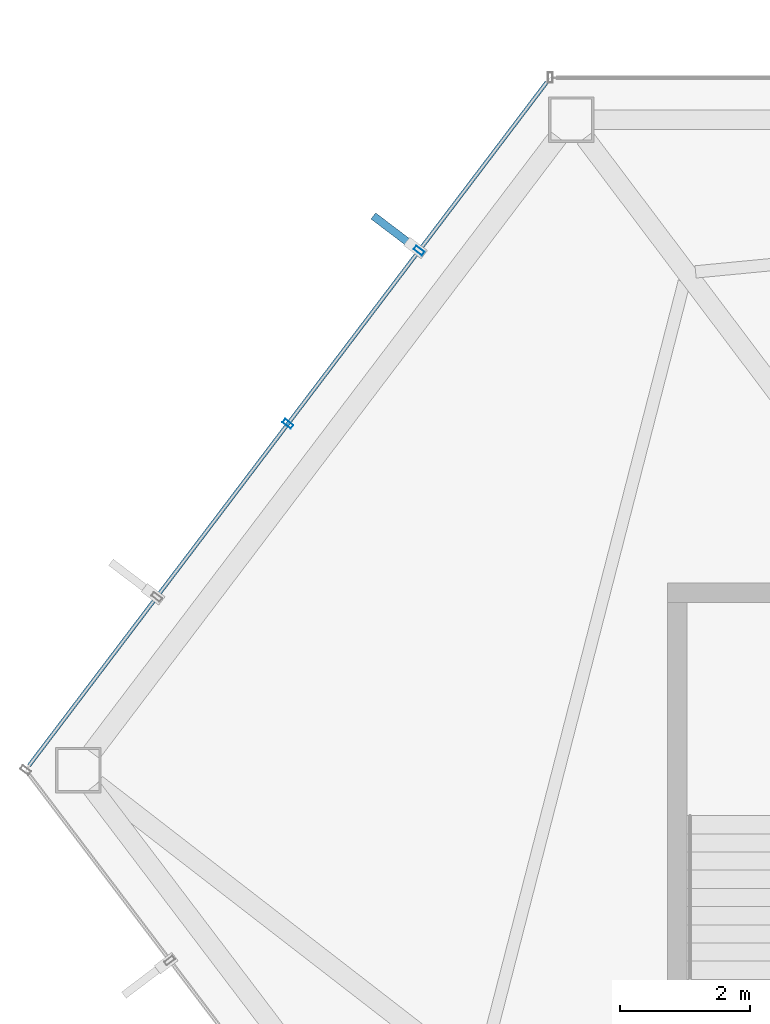
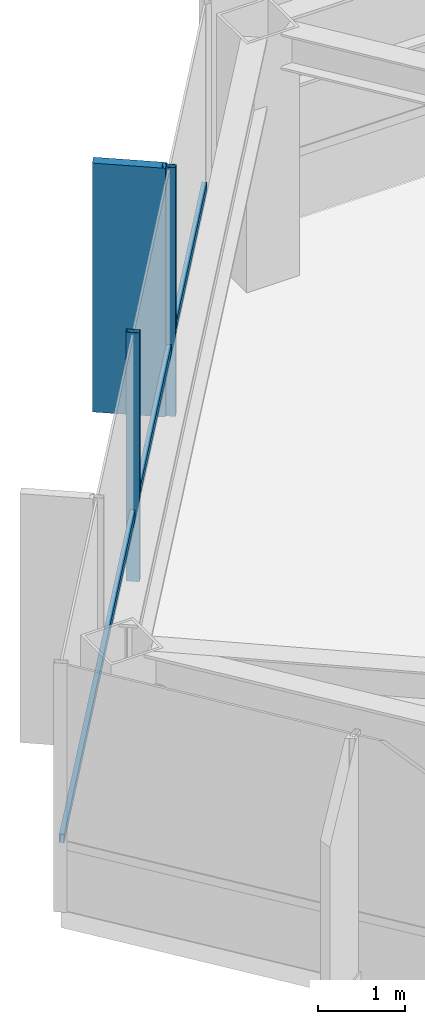
# One storey, part 12 of 28: 4 members, 1 element without a shape of its own.
"""IFC4 building model written with IfcOpenShell, lengths in metres."""

from ifc_helpers import new_model, si_unit, direction, frame, origin, origin_2d, place, context, subcontext, project, spatial, rectangle, hollow_rectangle, extrude, material, layer, layer_set, material_profile, profile_set, type_object, element, aggregate, save


model = new_model("IFC4")

# Units and contexts
model_context = context("Model", 3, precision=1e-05, world=origin(), true_north=direction((0.0, 1.0)))
body_context = subcontext(model_context, "Body", "Model", "MODEL_VIEW")
ifc_project = project(units=[si_unit("LENGTHUNIT", "METRE"), si_unit("AREAUNIT", "SQUARE_METRE"), si_unit("VOLUMEUNIT", "CUBIC_METRE"), si_unit("PLANEANGLEUNIT", "RADIAN"), si_unit("MASSUNIT", "GRAM", prefix="KILO")], contexts=[model_context])

# Site, building, storey
site_placement = place(None, origin())
site = spatial("IfcSite", under=ifc_project, at=site_placement, CompositionType="ELEMENT")
building_placement = place(site_placement, origin())
building = spatial("IfcBuilding", under=site, at=building_placement, Name="Zarrinselat Tower", CompositionType="ELEMENT")
storey_placement = place(building_placement, frame((0.0, 0.0, 168.300048828125)))
storey = spatial("IfcBuildingStorey", under=building, at=storey_placement, Name="L41", CompositionType="ELEMENT", Elevation=168.300048828125)

# Curtain wall, members
ifc_material_1 = material(Name="Extruded Aluminium Alloy EN AW-6063 T6", Category="aluminium")
ifc_layer = layer(ifc_material_1, 0.175048828125)
ifc_layer_set = layer_set([ifc_layer], Name="Extruded Aluminium Alloy EN AW-6063 T6")
curtain_wall_type = type_object("IfcCurtainWallType", Name="CWS-HTL", PredefinedType="NOTDEFINED", material=ifc_layer_set)
curtain_wall_placement = place(storey_placement, origin())
curtain_wall = element("IfcCurtainWall", 1, at=curtain_wall_placement, inside=storey, type_object=curtain_wall_type, Name="L41 Unitised Curtain Wall CW-L41-E02", PredefinedType="NOTDEFINED")
ifc_material_2 = material(Name="Extruded Aluminium Alloy EN AW-6063 T6", Category="aluminium")
ifc_material_profile_1 = material_profile(ifc_material_2, hollow_rectangle(XDim=0.070068359375, YDim=0.159912109375, WallThickness=0.00390625, at=origin_2d()), Name="RHS 160x70x4")
ifc_profile_set_1 = profile_set([ifc_material_profile_1], Name="Extruded Aluminium Alloy EN AW-6063 T6")
member_type_1 = type_object("IfcMemberType", Name="MEM-CW-MUL2", PredefinedType="MULLION", material=ifc_profile_set_1)
member_1_placement = place(storey_placement, frame((21.2548828125, 46.172119140625, 0.0), z_axis=(0.0, 0.0, 1.0), x_axis=(-0.603854523079, -0.797094545808, 0.0)))
member_1 = element("IfcMember", 2, at=member_1_placement, type_object=member_type_1, Name="CW-L41-E02 Mullion 1", PredefinedType="MULLION", context=body_context, shape_type="SweptSolid", body=[
    extrude(hollow_rectangle(XDim=0.070068359375, YDim=0.159912109375, WallThickness=0.00390625, at=origin_2d()), origin(), (0.0, 0.0, 1.0), 3.5),
])
member_2_placement = place(storey_placement, frame((19.234619140625, 43.5048828125, 0.0), z_axis=(0.0, 0.0, 1.0), x_axis=(-0.603854523079, -0.797094545808, 0.0)))
member_2 = element("IfcMember", 3, at=member_2_placement, type_object=member_type_1, Name="CW-L41-E02 Mullion 2", PredefinedType="MULLION", context=body_context, shape_type="SweptSolid", body=[
    extrude(hollow_rectangle(XDim=0.070068359375, YDim=0.159912109375, WallThickness=0.00390625, at=origin_2d()), origin(), (0.0, 0.0, 1.0), 3.5),
])
ifc_material_3 = material(Name="Extruded Aluminium Alloy EN AW-6063 T6", Category="aluminium")
ifc_material_profile_2 = material_profile(ifc_material_3, hollow_rectangle(XDim=0.06005859375, YDim=0.1201171875, WallThickness=0.00390625, at=origin_2d()), Name="RHS 120x60x4")
ifc_profile_set_2 = profile_set([ifc_material_profile_2], Name="Extruded Aluminium Alloy EN AW-6063 T6")
member_type_2 = type_object("IfcMemberType", Name="MEM-CW-TRN2", PredefinedType="USERDEFINED", material=ifc_profile_set_2)
member_3_placement = place(storey_placement, frame((23.22119140625, 48.76708984375, 0.949951171875), z_axis=(-0.603871572164, -0.797081629654, 0.0), x_axis=(0.797081629654, -0.603871572164, 0.0)))
member_3 = element("IfcMember", 4, at=member_3_placement, type_object=member_type_2, Name="CW-L41-E02 Transom 1", ObjectType="TRANSOM", PredefinedType="USERDEFINED", context=body_context, shape_type="SweptSolid", body=[
    extrude(hollow_rectangle(XDim=0.06005859375, YDim=0.1201171875, WallThickness=0.00390625, at=origin_2d()), origin(), (0.0, 0.0, 1.0), 13.203369140625),
])
ifc_material_4 = material(Name="Honed Cream Travertine Stone", Category="masonry")
ifc_material_profile_3 = material_profile(ifc_material_4, rectangle(XDim=0.1201171875, YDim=0.85009765625, at=origin_2d()), Name="FIN 850x120")
ifc_profile_set_3 = profile_set([ifc_material_profile_3], Name="Honed Cream Travertine Stone")
member_type_3 = type_object("IfcMemberType", Name="MEM-STONE-FIN", PredefinedType="USERDEFINED", material=ifc_profile_set_3)
member_4_placement = place(storey_placement, frame((20.88818359375, 46.44970703125, 0.0), z_axis=(0.0, 0.0, 1.0), x_axis=(0.603854523079, 0.797094545808, 0.0)))
member_4 = element("IfcMember", 5, at=member_4_placement, type_object=member_type_3, Name="L41 Stone Shading Fin CW-L41-E02-01", ObjectType="FIN", PredefinedType="USERDEFINED", context=body_context, shape_type="SweptSolid", body=[
    extrude(rectangle(XDim=0.1201171875, YDim=0.85009765625, at=origin_2d()), origin(), (0.0, 0.0, 1.0), 3.5),
])
aggregate(curtain_wall, [member_1, member_4, member_2, member_3])

save(model, "model.ifc")
